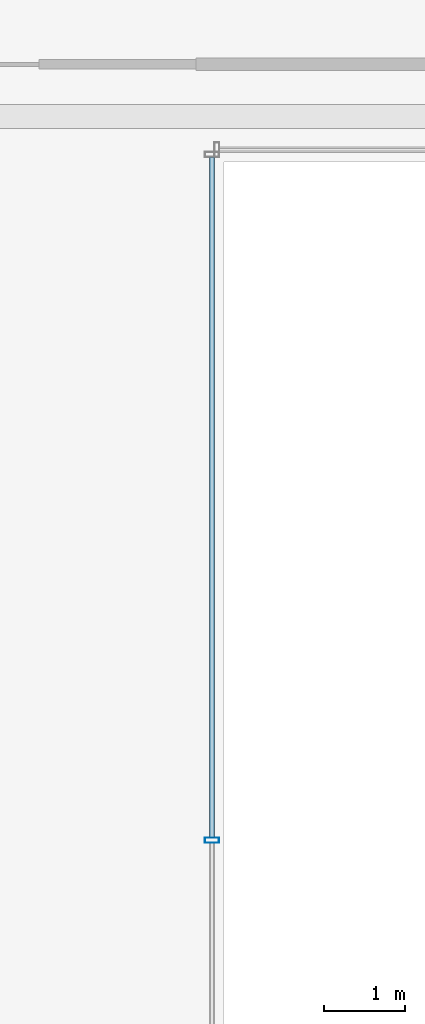
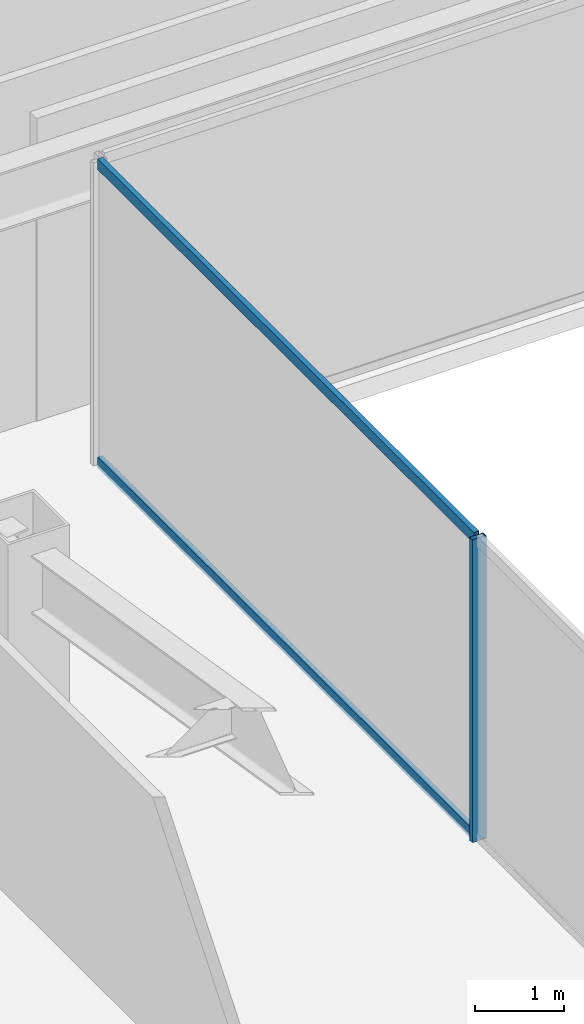
# One storey, part 14 of 47: 3 members, 1 element without a shape of its own.
"""IFC4 building model written with IfcOpenShell, lengths in metres."""

from ifc_helpers import new_model, si_unit, direction, frame, origin, origin_2d, place, context, subcontext, project, spatial, hollow_rectangle, extrude, material, material_profile, profile_set, type_object, element, aggregate, save


model = new_model("IFC4")

# Units and contexts
model_context = context("Model", 3, precision=1e-05, world=origin(), true_north=direction((0.0, 1.0)))
body_context = subcontext(model_context, "Body", "Model", "MODEL_VIEW")
ifc_project = project(units=[si_unit("LENGTHUNIT", "METRE"), si_unit("AREAUNIT", "SQUARE_METRE"), si_unit("VOLUMEUNIT", "CUBIC_METRE"), si_unit("PLANEANGLEUNIT", "RADIAN"), si_unit("MASSUNIT", "GRAM", prefix="KILO")], contexts=[model_context])

# Site, building, storey
site_placement = place(None, origin())
site = spatial("IfcSite", under=ifc_project, at=site_placement, CompositionType="ELEMENT")
building_placement = place(site_placement, origin())
building = spatial("IfcBuilding", under=site, at=building_placement, Name="Saevonmaru Cultural Tower", CompositionType="ELEMENT")
storey_placement = place(building_placement, frame((0.0, 0.0, 69.199951171875)))
storey = spatial("IfcBuildingStorey", under=building, at=storey_placement, Name="L14", CompositionType="ELEMENT", Elevation=69.199951171875)

# Curtain wall, members
ifc_material = material(Name="Satin Bronze Anodised Aluminium", Category="aluminium")
curtain_wall_type = type_object("IfcCurtainWallType", Name="CW-ATR-GLZ", PredefinedType="NOTDEFINED", material=ifc_material)
curtain_wall_placement = place(storey_placement, origin())
curtain_wall = element("IfcCurtainWall", 1, at=curtain_wall_placement, inside=storey, type_object=curtain_wall_type, Name="L14 Vertical Atrium Glazed Smoke Screen 4", PredefinedType="NOTDEFINED")
ifc_material_profile_1 = material_profile(ifc_material, hollow_rectangle(XDim=0.06494140625, YDim=0.179931640625, WallThickness=0.00390625, at=origin_2d()), Name="ALU-MULL-180x65x4")
ifc_profile_set_1 = profile_set([ifc_material_profile_1], Name="Satin Bronze Anodised Aluminium")
member_type_1 = type_object("IfcMemberType", Name="ML-CW-INT-180x65", PredefinedType="MULLION", material=ifc_profile_set_1)
member_1_placement = place(storey_placement, frame((24.050048828125, 29.419921875, 0.0), z_axis=(0.0, 0.0, 1.0), x_axis=(0.0, -1.0, 0.0)))
member_1 = element("IfcMember", 2, at=member_1_placement, type_object=member_type_1, Name="CW-ATR-L14-4 mullion 2", PredefinedType="MULLION", context=body_context, shape_type="SweptSolid", body=[
    extrude(hollow_rectangle(XDim=0.06494140625, YDim=0.179931640625, WallThickness=0.00390625, at=origin_2d()), origin(), (0.0, 0.0, 1.0), 4.150146484375),
])
ifc_material_profile_2 = material_profile(ifc_material, hollow_rectangle(XDim=0.06494140625, YDim=0.14990234375, WallThickness=0.00390625, at=origin_2d()), Name="ALU-TRAN-150x65x4")
ifc_profile_set_2 = profile_set([ifc_material_profile_2], Name="Satin Bronze Anodised Aluminium")
member_type_2 = type_object("IfcMemberType", Name="TR-CW-INT-150x65", PredefinedType="USERDEFINED", material=ifc_profile_set_2)
member_2_placement = place(storey_placement, frame((24.050048828125, 37.8974609375, 0.032470703125), z_axis=(0.0, -1.0, 0.0), x_axis=(1.0, 0.0, 0.0)))
member_2 = element("IfcMember", 3, at=member_2_placement, type_object=member_type_2, Name="CW-ATR-L14-4 transom 1.1", ObjectType="TRANSOM", PredefinedType="USERDEFINED", context=body_context, shape_type="SweptSolid", body=[
    extrude(hollow_rectangle(XDim=0.06494140625, YDim=0.14990234375, WallThickness=0.00390625, at=origin_2d()), origin(), (0.0, 0.0, 1.0), 8.445068359375),
])
member_3_placement = place(storey_placement, frame((24.050048828125, 37.8974609375, 4.117431640625), z_axis=(0.0, -1.0, 0.0), x_axis=(1.0, 0.0, 0.0)))
member_3 = element("IfcMember", 4, at=member_3_placement, type_object=member_type_2, Name="CW-ATR-L14-4 transom 1.2", ObjectType="TRANSOM", PredefinedType="USERDEFINED", context=body_context, shape_type="SweptSolid", body=[
    extrude(hollow_rectangle(XDim=0.06494140625, YDim=0.14990234375, WallThickness=0.00390625, at=origin_2d()), origin(), (0.0, 0.0, 1.0), 8.445068359375),
])
aggregate(curtain_wall, [member_1, member_2, member_3])

save(model, "model.ifc")
